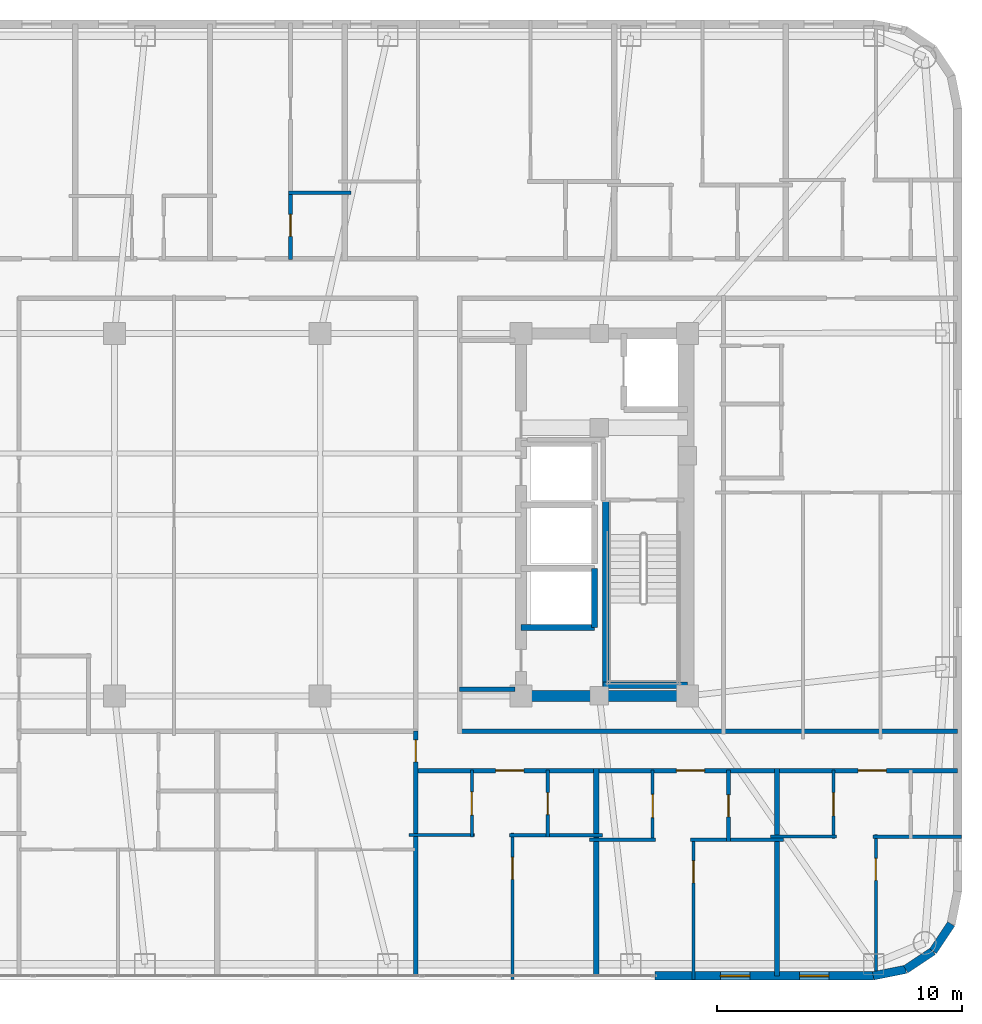
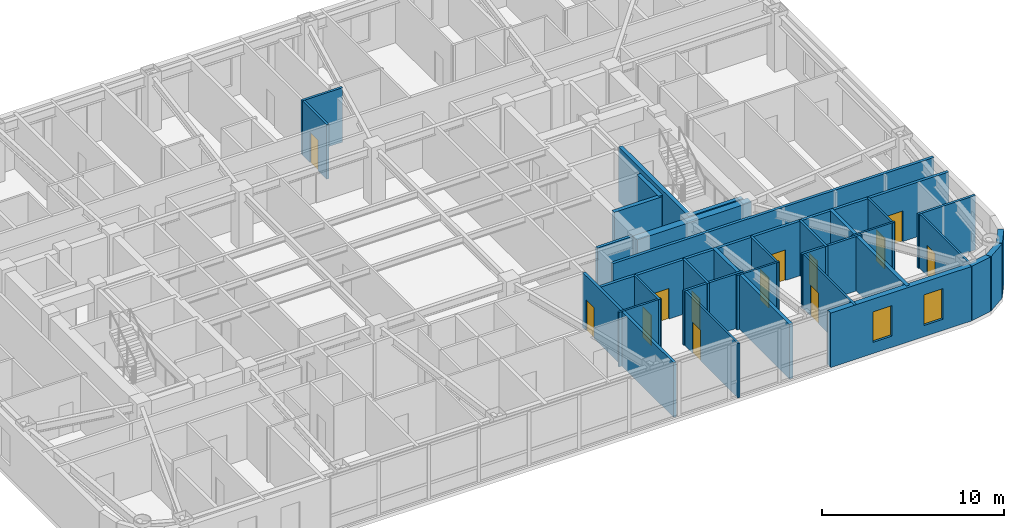
# One storey, part 11 of 17: 31 walls, 13 doors, 2 windows, 15 openings.
"""IFC4 building model written with IfcOpenShell, lengths in metres."""

from ifc_helpers import new_model, si_unit, direction, frame, frame_2d, origin, place, context, subcontext, project, spatial, rectangle, extrude, material, layer, layer_set, type_object, element, fill, save


model = new_model("IFC4")

# Units and contexts
model_context = context("Model", 3, precision=1e-05, world=origin(), true_north=direction((0.0, 1.0)))
body_context = subcontext(model_context, "Body", "Model", "MODEL_VIEW")
ifc_project = project(units=[si_unit("LENGTHUNIT", "METRE"), si_unit("AREAUNIT", "SQUARE_METRE"), si_unit("VOLUMEUNIT", "CUBIC_METRE"), si_unit("PLANEANGLEUNIT", "RADIAN"), si_unit("MASSUNIT", "GRAM", prefix="KILO")], contexts=[model_context])

# Site, building, storey
site_placement = place(None, origin())
site = spatial("IfcSite", under=ifc_project, at=site_placement, CompositionType="ELEMENT")
building_placement = place(site_placement, origin())
building = spatial("IfcBuilding", under=site, at=building_placement, Name="Voryun Gate Residences", CompositionType="ELEMENT")
storey_placement = place(building_placement, frame((0.0, 0.0, 204.10009765625)))
storey = spatial("IfcBuildingStorey", under=building, at=storey_placement, Name="L50", CompositionType="ELEMENT", Elevation=204.10009765625)

# Walls
ifc_material_1 = material(Name="Concrete C50/60", Category="concrete")
ifc_layer_1 = layer(ifc_material_1, 0.449951171875, Name="CW_CORE_450")
ifc_layer_set_1 = layer_set([ifc_layer_1], Name="Concrete C50/60")
wall_type_1 = type_object("IfcWallType", Name="CW_CORE_450", PredefinedType="SHEAR", material=ifc_layer_set_1)
wall_1_placement = place(storey_placement, frame((12.175048828125, -7.39990234375, 0.0), z_axis=(0.0, 0.0, 1.0), x_axis=(1.0, 0.0, 0.0)))
element("IfcWall", 1, at=wall_1_placement, inside=storey, type_object=wall_type_1, Name="L50 Core shear wall CW-L50-ES", PredefinedType="SHEAR", context=body_context, shape_type="SweptSolid", body=[
    extrude(rectangle(XDim=7.25, YDim=0.449951171875, at=frame_2d((3.625, 0.0))), origin(), (0.0, 0.0, 1.0), 3.64990234375),
])
ifc_material_2 = material(Name="Gypsum acoustic fireboard")
ifc_layer_2 = layer(ifc_material_2, 0.179931640625, Name="W_CORR_RATED_180")
ifc_layer_set_2 = layer_set([ifc_layer_2], Name="Gypsum acoustic fireboard")
wall_type_2 = type_object("IfcWallType", Name="W_CORR_RATED_180", PredefinedType="PARTITIONING", material=ifc_layer_set_2)
wall_2_placement = place(storey_placement, frame((9.8798828125, -7.1201171875, 0.0), z_axis=(0.0, 0.0, 1.0), x_axis=(1.0, 0.0, 0.0)))
element("IfcWall", 2, at=wall_2_placement, inside=storey, type_object=wall_type_2, Name="Partition wall WP-L50-PLBS-E", PredefinedType="PARTITIONING", context=body_context, shape_type="SweptSolid", body=[
    extrude(rectangle(XDim=2.27001953125, YDim=0.179931640625, at=frame_2d((1.135009765625, 0.0))), origin(), (0.0, 0.0, 1.0), 3.64990234375),
])
wall_3_placement = place(storey_placement, frame((9.8798828125, -8.840087890625, 0.0), z_axis=(0.0, 0.0, 1.0), x_axis=(1.0, 0.0, 0.0)))
element("IfcWall", 3, at=wall_3_placement, inside=storey, type_object=wall_type_2, Name="Partition wall WP-L50-CWING-ES", PredefinedType="PARTITIONING", context=body_context, shape_type="SweptSolid", body=[
    extrude(rectangle(XDim=20.35009765625, YDim=0.179931640625, at=frame_2d((10.175048828125, 0.0))), origin(), (0.0, 0.0, 1.0), 3.64990234375),
])

# Wall, openings, doors
wall_4_placement = place(storey_placement, frame((8.080078125, -10.449951171875, 0.0), z_axis=(0.0, 0.0, 1.0), x_axis=(1.0, 0.0, 0.0)))
wall_4 = element("IfcWall", 4, at=wall_4_placement, inside=storey, type_object=wall_type_2, Name="Partition wall WP-L50-SCORR-E", PredefinedType="PARTITIONING", context=body_context, shape_type="SweptSolid", body=[
    extrude(rectangle(XDim=22.14990234375, YDim=0.179931640625, at=frame_2d((11.074951171875, 0.0))), origin(), (0.0, 0.0, 1.0), 3.64990234375),
])
opening_1_placement = place(wall_4_placement, frame((3.283447265625, 0.0, 0.0)))
opening_1 = element("IfcOpeningElement", 5, at=opening_1_placement, cuts=wall_4, Name="Opening D-UNIT-1", PredefinedType="OPENING", context=body_context, shape_type="SweptSolid", body=[
    extrude(rectangle(XDim=1.14990234375, YDim=2.050048828125, at=frame_2d((0.574951171875, 1.02490234375))), frame((0.0, 0.099853515625, 0.0), z_axis=(0.0, -1.0, 0.0), x_axis=(1.0, 0.0, 0.0)), (0.0, 0.0, 1.0), 0.199951171875),
])
opening_2_placement = place(wall_4_placement, frame((10.668212890625, 0.0, 0.0)))
opening_2 = element("IfcOpeningElement", 6, at=opening_2_placement, cuts=wall_4, Name="Opening D-UNIT-1", PredefinedType="OPENING", context=body_context, shape_type="SweptSolid", body=[
    extrude(rectangle(XDim=1.14990234375, YDim=2.050048828125, at=frame_2d((0.574951171875, 1.02490234375))), frame((0.0, 0.099853515625, 0.0), z_axis=(0.0, -1.0, 0.0), x_axis=(1.0, 0.0, 0.0)), (0.0, 0.0, 1.0), 0.199951171875),
])
opening_3_placement = place(wall_4_placement, frame((18.084228515625, 0.0, 0.0)))
opening_3 = element("IfcOpeningElement", 7, at=opening_3_placement, cuts=wall_4, Name="Opening D-UNIT-1", PredefinedType="OPENING", context=body_context, shape_type="SweptSolid", body=[
    extrude(rectangle(XDim=1.14990234375, YDim=2.050048828125, at=frame_2d((0.574951171875, 1.02490234375))), frame((0.0, 0.099853515625, 0.0), z_axis=(0.0, -1.0, 0.0), x_axis=(1.0, 0.0, 0.0)), (0.0, 0.0, 1.0), 0.199951171875),
])
ifc_material_3 = material(Name="Armoured timber-clad fire door", Category="wood")
door_type_1 = type_object("IfcDoorType", Name="DR_UNIT_ENTRY_1150", OperationType="NOTDEFINED", PredefinedType="DOOR", material=ifc_material_3)
door_1_placement = place(opening_1_placement, origin())
door_1 = element("IfcDoor", 8, at=door_1_placement, inside=storey, type_object=door_type_1, Name="Door DR-L50-SENT-5", OperationType="SINGLE_SWING_RIGHT", OverallHeight=2.050048828125, OverallWidth=1.14990234375, PredefinedType="DOOR", context=body_context, shape_type="SweptSolid", body=[
    extrude(rectangle(XDim=1.14990234375, YDim=2.050048828125, at=frame_2d((0.574951171875, 1.02490234375))), frame((0.0, 0.02490234375, 0.0), z_axis=(0.0, -1.0, 0.0), x_axis=(1.0, 0.0, 0.0)), (0.0, 0.0, 1.0), 0.050048828125),
])
fill(opening_1, door_1)
door_2_placement = place(opening_2_placement, origin())
door_2 = element("IfcDoor", 9, at=door_2_placement, inside=storey, type_object=door_type_1, Name="Door DR-L50-SENT-6", OperationType="SINGLE_SWING_LEFT", OverallHeight=2.050048828125, OverallWidth=1.14990234375, PredefinedType="DOOR", context=body_context, shape_type="SweptSolid", body=[
    extrude(rectangle(XDim=1.14990234375, YDim=2.050048828125, at=frame_2d((0.574951171875, 1.02490234375))), frame((0.0, 0.02490234375, 0.0), z_axis=(0.0, -1.0, 0.0), x_axis=(1.0, 0.0, 0.0)), (0.0, 0.0, 1.0), 0.050048828125),
])
fill(opening_2, door_2)
door_3_placement = place(opening_3_placement, origin())
door_3 = element("IfcDoor", 10, at=door_3_placement, inside=storey, type_object=door_type_1, Name="Door DR-L50-SENT-7", OperationType="SINGLE_SWING_RIGHT", OverallHeight=2.050048828125, OverallWidth=1.14990234375, PredefinedType="DOOR", context=body_context, shape_type="SweptSolid", body=[
    extrude(rectangle(XDim=1.14990234375, YDim=2.050048828125, at=frame_2d((0.574951171875, 1.02490234375))), frame((0.0, 0.02490234375, 0.0), z_axis=(0.0, -1.0, 0.0), x_axis=(1.0, 0.0, 0.0)), (0.0, 0.0, 1.0), 0.050048828125),
])
fill(opening_3, door_3)

# Wall, opening, door
wall_5_placement = place(storey_placement, frame((8.10009765625, -18.830078125, 0.0), z_axis=(0.0, 0.0, 1.0), x_axis=(0.0, 1.0, 0.0)))
wall_5 = element("IfcWall", 11, at=wall_5_placement, inside=storey, type_object=wall_type_2, Name="Partition wall WP-L50-SZV-2", PredefinedType="PARTITIONING", context=body_context, shape_type="SweptSolid", body=[
    extrude(rectangle(XDim=9.989990234375, YDim=0.179931640625, at=frame_2d((4.9951171875, 0.0))), origin(), (0.0, 0.0, 1.0), 3.64990234375),
])
opening_4_placement = place(wall_5_placement, frame((8.73974609375, 0.0, 0.0)))
opening_4 = element("IfcOpeningElement", 12, at=opening_4_placement, cuts=wall_5, Name="Opening D-INT-2", PredefinedType="OPENING", context=body_context, shape_type="SweptSolid", body=[
    extrude(rectangle(XDim=0.89990234375, YDim=2.050048828125, at=frame_2d((0.449951171875, 1.02490234375))), frame((0.0, 0.099853515625, 0.0), z_axis=(0.0, -1.0, 0.0), x_axis=(1.0, 0.0, 0.0)), (0.0, 0.0, 1.0), 0.199951171875),
])
ifc_material_4 = material(Name="Architectural oak veneer")
door_type_2 = type_object("IfcDoorType", Name="DR_INT_BATH_900", OperationType="NOTDEFINED", PredefinedType="DOOR", material=ifc_material_4)
door_4_placement = place(opening_4_placement, origin())
door_4 = element("IfcDoor", 13, at=door_4_placement, inside=storey, type_object=door_type_2, Name="Door DR-L50-SZENT-2", OperationType="SINGLE_SWING_RIGHT", OverallHeight=2.050048828125, OverallWidth=0.89990234375, PredefinedType="DOOR", context=body_context, shape_type="SweptSolid", body=[
    extrude(rectangle(XDim=0.89990234375, YDim=2.050048828125, at=frame_2d((0.449951171875, 1.02490234375))), frame((0.0, 0.02490234375, 0.0), z_axis=(0.0, -1.0, 0.0), x_axis=(1.0, 0.0, 0.0)), (0.0, 0.0, 1.0), 0.050048828125),
])
fill(opening_4, door_4)

# Wall, openings, windows
ifc_material_5 = material(Name="Charcoal terracotta masonry", Category="masonry")
ifc_layer_3 = layer(ifc_material_5, 0.340087890625, Name="W_EXT_TERRACOTTA_340")
ifc_layer_set_3 = layer_set([ifc_layer_3], Name="Charcoal terracotta masonry")
wall_type_3 = type_object("IfcWallType", Name="W_EXT_TERRACOTTA_340", PredefinedType="ELEMENTEDWALL", material=ifc_layer_set_3)
wall_6_placement = place(storey_placement, frame((26.783203125, -18.830078125, 0.0), z_axis=(0.0, 0.0, 1.0), x_axis=(-1.0, 0.0, 0.0)))
wall_6 = element("IfcWall", 14, at=wall_6_placement, inside=storey, type_object=wall_type_3, Name="Exterior wall WEXT-L50-01A", PredefinedType="ELEMENTEDWALL", context=body_context, shape_type="SweptSolid", body=[
    extrude(rectangle(XDim=8.921875, YDim=0.340087890625, at=frame_2d((4.4609375, 0.0))), origin(), (0.0, 0.0, 1.0), 3.64990234375),
])
opening_5_placement = place(wall_6_placement, frame((5.037353515625, 0.0, 0.75)))
opening_5 = element("IfcOpeningElement", 15, at=opening_5_placement, cuts=wall_6, Name="Opening WN6", PredefinedType="OPENING", context=body_context, shape_type="SweptSolid", body=[
    extrude(rectangle(XDim=1.199951171875, YDim=2.050048828125, at=frame_2d((0.60009765625, 1.02490234375))), frame((0.0, 0.179931640625, 0.0), z_axis=(0.0, -1.0, 0.0), x_axis=(1.0, 0.0, 0.0)), (0.0, 0.0, 1.0), 0.360107421875),
])
opening_6_placement = place(wall_6_placement, frame((1.81103515625, 0.0, 0.75)))
opening_6 = element("IfcOpeningElement", 16, at=opening_6_placement, cuts=wall_6, Name="Opening WN6", PredefinedType="OPENING", context=body_context, shape_type="SweptSolid", body=[
    extrude(rectangle(XDim=1.199951171875, YDim=2.050048828125, at=frame_2d((0.60009765625, 1.02490234375))), frame((0.0, 0.179931640625, 0.0), z_axis=(0.0, -1.0, 0.0), x_axis=(1.0, 0.0, 0.0)), (0.0, 0.0, 1.0), 0.360107421875),
])
ifc_material_6 = material(Name="Laminated low-E glass", Category="glass")
window_type = type_object("IfcWindowType", Name="WN_POD_SLOT_1200", PartitioningType="SINGLE_PANEL", PredefinedType="WINDOW", material=ifc_material_6)
window_1_placement = place(opening_5_placement, origin())
window_1 = element("IfcWindow", 17, at=window_1_placement, inside=storey, type_object=window_type, Name="Window WN-L50-DWFIX-17", OverallHeight=2.050048828125, OverallWidth=1.199951171875, PartitioningType="SINGLE_PANEL", PredefinedType="WINDOW", context=body_context, shape_type="SweptSolid", body=[
    extrude(rectangle(XDim=1.199951171875, YDim=2.050048828125, at=frame_2d((0.60009765625, 1.02490234375))), frame((0.0, 0.030029296875, 0.0), z_axis=(0.0, -1.0, 0.0), x_axis=(1.0, 0.0, 0.0)), (0.0, 0.0, 1.0), 0.06005859375),
])
fill(opening_5, window_1)
window_2_placement = place(opening_6_placement, origin())
window_2 = element("IfcWindow", 18, at=window_2_placement, inside=storey, type_object=window_type, Name="Window WN-L50-DWFIX-18", OverallHeight=2.050048828125, OverallWidth=1.199951171875, PartitioningType="SINGLE_PANEL", PredefinedType="WINDOW", context=body_context, shape_type="SweptSolid", body=[
    extrude(rectangle(XDim=1.199951171875, YDim=2.050048828125, at=frame_2d((0.60009765625, 1.02490234375))), frame((0.0, 0.030029296875, 0.0), z_axis=(0.0, -1.0, 0.0), x_axis=(1.0, 0.0, 0.0)), (0.0, 0.0, 1.0), 0.06005859375),
])
fill(opening_6, window_2)

# Walls
wall_7_placement = place(storey_placement, frame((29.9658203125, -16.711181640625, 0.0), z_axis=(0.0, 0.0, 1.0), x_axis=(-0.555584683399, -0.831459956686, 0.0)))
element("IfcWall", 19, at=wall_7_placement, inside=storey, type_object=wall_type_3, Name="Exterior wall WEXT-L50-18", PredefinedType="ELEMENTEDWALL", context=body_context, shape_type="SweptSolid", body=[
    extrude(rectangle(XDim=1.337158203125, YDim=0.340087890625, at=frame_2d((0.66845703125, 0.0))), origin(), (0.0, 0.0, 1.0), 3.64990234375),
])
wall_8_placement = place(storey_placement, frame((29.222900390625, -17.822998046875, 0.0), z_axis=(0.0, 0.0, 1.0), x_axis=(-0.831403586725, -0.555669034571, 0.0)))
element("IfcWall", 20, at=wall_8_placement, inside=storey, type_object=wall_type_3, Name="Exterior wall WEXT-L50-19", PredefinedType="ELEMENTEDWALL", context=body_context, shape_type="SweptSolid", body=[
    extrude(rectangle(XDim=1.3369140625, YDim=0.340087890625, at=frame_2d((0.66845703125, 0.0))), origin(), (0.0, 0.0, 1.0), 3.64990234375),
])
wall_9_placement = place(storey_placement, frame((28.111328125, -18.56591796875, 0.0), z_axis=(0.0, 0.0, 1.0), x_axis=(-0.980788153188, -0.195075878998, 0.0)))
element("IfcWall", 21, at=wall_9_placement, inside=storey, type_object=wall_type_3, Name="Exterior wall WEXT-L50-20", PredefinedType="ELEMENTEDWALL", context=body_context, shape_type="SweptSolid", body=[
    extrude(rectangle(XDim=1.354248046875, YDim=0.340087890625, at=frame_2d((0.67724609375, 0.0))), origin(), (0.0, 0.0, 1.0), 3.64990234375),
])
ifc_material_7 = material(Name="Concrete C40/50", Category="concrete")
ifc_layer_4 = layer(ifc_material_7, 0.219970703125, Name="W_PARTY_ACOUSTIC_220")
ifc_layer_set_4 = layer_set([ifc_layer_4], Name="Concrete C40/50")
wall_type_4 = type_object("IfcWallType", Name="W_PARTY_ACOUSTIC_220", PredefinedType="PARTITIONING", material=ifc_layer_set_4)
for number, where, z_axis, x_axis, name in (
    (22, (15.466064453125, -18.830078125, 0.0), (0.0, 0.0, 1.0), (0.0, 1.0, 0.0), "Partition wall WP-L50-SPTY-5"),
    (23, (22.85107421875, -18.830078125, 0.0), (0.0, 0.0, 1.0), (0.0, 1.0, 0.0), "Partition wall WP-L50-SPTY-6"),
):
    element("IfcWall", number, at=place(storey_placement, frame(where, z_axis=z_axis, x_axis=x_axis)), inside=storey, type_object=wall_type_4, Name=name, PredefinedType="PARTITIONING", context=body_context, shape_type="SweptSolid", body=[
        extrude(rectangle(XDim=8.4599609375, YDim=0.219970703125, at=frame_2d((4.22998046875, 0.0))), origin(), (0.0, 0.0, 1.0), 3.64990234375),
    ])
ifc_material_8 = material(Name="Concrete C50/60", Category="concrete")
ifc_layer_5 = layer(ifc_material_8, 0.25, Name="W_SHAFT_RC250")
ifc_layer_set_5 = layer_set([ifc_layer_5], Name="Concrete C50/60")
wall_type_5 = type_object("IfcWallType", Name="W_SHAFT_RC250", PredefinedType="SOLIDWALL", material=ifc_layer_set_5)
wall_10_placement = place(storey_placement, frame((15.860107421875, -7.0849609375, 0.0), z_axis=(0.0, 0.0, 1.0), x_axis=(0.0, 1.0, 0.0)))
element("IfcWall", 24, at=wall_10_placement, inside=storey, type_object=wall_type_5, Name="L50 Stair shaft structural wall E-STL", PredefinedType="SOLIDWALL", context=body_context, shape_type="SweptSolid", body=[
    extrude(rectangle(XDim=7.68505859375, YDim=0.25, at=frame_2d((3.842529296875, 0.0))), origin(), (0.0, 0.0, 1.0), 3.64990234375),
])
wall_11_placement = place(storey_placement, frame((15.739990234375, -6.965087890625, 0.0), z_axis=(0.0, 0.0, 1.0), x_axis=(1.0, 0.0, 0.0)))
element("IfcWall", 25, at=wall_11_placement, inside=storey, type_object=wall_type_5, Name="L50 Stair shaft structural wall E-STS", PredefinedType="SOLIDWALL", context=body_context, shape_type="SweptSolid", body=[
    extrude(rectangle(XDim=3.4599609375, YDim=0.25, at=frame_2d((1.72998046875, 0.0))), origin(), (0.0, 0.0, 1.0), 3.64990234375),
])
wall_12_placement = place(storey_placement, frame((12.39990234375, -4.60009765625, 0.0), z_axis=(0.0, 0.0, 1.0), x_axis=(1.0, 0.0, 0.0)))
element("IfcWall", 26, at=wall_12_placement, inside=storey, type_object=wall_type_5, Name="Lift shaft wall WSH-L50-EL-P5-S", PredefinedType="SOLIDWALL", context=body_context, shape_type="SweptSolid", body=[
    extrude(rectangle(XDim=3.0, YDim=0.25, at=frame_2d((1.5, 0.0))), origin(), (0.0, 0.0, 1.0), 3.64990234375),
])
wall_13_placement = place(storey_placement, frame((15.39990234375, -4.60009765625, 0.0), z_axis=(0.0, 0.0, 1.0), x_axis=(0.0, 1.0, 0.0)))
element("IfcWall", 27, at=wall_13_placement, inside=storey, type_object=wall_type_5, Name="Lift shaft wall WSH-L50-EL-P5-E", PredefinedType="SOLIDWALL", context=body_context, shape_type="SweptSolid", body=[
    extrude(rectangle(XDim=2.400146484375, YDim=0.25, at=frame_2d((1.2001953125, 0.0))), origin(), (0.0, 0.0, 1.0), 3.64990234375),
])

# Wall, opening, door
ifc_material_9 = material(Name="Gypsum acoustic partition")
ifc_layer_6 = layer(ifc_material_9, 0.125, Name="W_UNIT_PART_125")
ifc_layer_set_6 = layer_set([ifc_layer_6], Name="Gypsum acoustic partition")
wall_type_6 = type_object("IfcWallType", Name="W_UNIT_PART_125", PredefinedType="PARTITIONING", material=ifc_layer_set_6)
wall_14_placement = place(storey_placement, frame((12.055908203125, -18.97998046875, 0.0), z_axis=(0.0, 0.0, 1.0), x_axis=(0.0, 1.0, 0.0)))
wall_14 = element("IfcWall", 28, at=wall_14_placement, inside=storey, type_object=wall_type_6, Name="Partition wall WP-L50-S5-OVR", PredefinedType="PARTITIONING", context=body_context, shape_type="SweptSolid", body=[
    extrude(rectangle(XDim=5.97509765625, YDim=0.125, at=frame_2d((2.987548828125, 0.0))), origin(), (0.0, 0.0, 1.0), 3.64990234375),
])
opening_7_placement = place(wall_14_placement, frame((4.091064453125, 0.0, 0.0)))
opening_7 = element("IfcOpeningElement", 29, at=opening_7_placement, cuts=wall_14, Name="Opening D-INT-2", PredefinedType="OPENING", context=body_context, shape_type="SweptSolid", body=[
    extrude(rectangle(XDim=0.89990234375, YDim=2.050048828125, at=frame_2d((0.449951171875, 1.02490234375))), frame((0.0, 0.072509765625, 0.0), z_axis=(0.0, -1.0, 0.0), x_axis=(1.0, 0.0, 0.0)), (0.0, 0.0, 1.0), 0.14501953125),
])
door_5_placement = place(opening_7_placement, origin())
door_5 = element("IfcDoor", 30, at=door_5_placement, inside=storey, type_object=door_type_2, Name="Door DR-L50-S5-DMB", OperationType="SINGLE_SWING_RIGHT", OverallHeight=2.050048828125, OverallWidth=0.89990234375, PredefinedType="DOOR", context=body_context, shape_type="SweptSolid", body=[
    extrude(rectangle(XDim=0.89990234375, YDim=2.050048828125, at=frame_2d((0.449951171875, 1.02490234375))), frame((0.0, 0.02490234375, 0.0), z_axis=(0.0, -1.0, 0.0), x_axis=(1.0, 0.0, 0.0)), (0.0, 0.0, 1.0), 0.050048828125),
])
fill(opening_7, door_5)

wall_15_placement = place(storey_placement, frame((10.389892578125, -13.1650390625, 0.0), z_axis=(0.0, 0.0, 1.0), x_axis=(0.0, 1.0, 0.0)))
wall_15 = element("IfcWall", 31, at=wall_15_placement, inside=storey, type_object=wall_type_6, Name="Partition wall WP-L50-S5-IVK", PredefinedType="PARTITIONING", context=body_context, shape_type="SweptSolid", body=[
    extrude(rectangle(XDim=2.735107421875, YDim=0.125, at=frame_2d((1.36767578125, 0.0))), origin(), (0.0, 0.0, 1.0), 3.64990234375),
])
opening_8_placement = place(wall_15_placement, frame((0.892578125, 0.0, 0.0)))
opening_8 = element("IfcOpeningElement", 32, at=opening_8_placement, cuts=wall_15, Name="Opening D-INT-1", PredefinedType="OPENING", context=body_context, shape_type="SweptSolid", body=[
    extrude(rectangle(XDim=0.949951171875, YDim=2.050048828125, at=frame_2d((0.47509765625, 1.02490234375))), frame((0.0, 0.072509765625, 0.0), z_axis=(0.0, -1.0, 0.0), x_axis=(1.0, 0.0, 0.0)), (0.0, 0.0, 1.0), 0.14501953125),
])
ifc_material_10 = material(Name="Architectural oak veneer")
door_type_3 = type_object("IfcDoorType", Name="DR_INT_ROOM_950", OperationType="NOTDEFINED", PredefinedType="DOOR", material=ifc_material_10)
door_6_placement = place(opening_8_placement, origin())
door_6 = element("IfcDoor", 33, at=door_6_placement, inside=storey, type_object=door_type_3, Name="Door DR-L50-S5-DK", OperationType="SINGLE_SWING_LEFT", OverallHeight=2.050048828125, OverallWidth=0.949951171875, PredefinedType="DOOR", context=body_context, shape_type="SweptSolid", body=[
    extrude(rectangle(XDim=0.949951171875, YDim=2.050048828125, at=frame_2d((0.47509765625, 1.02490234375))), frame((0.0, 0.02490234375, 0.0), z_axis=(0.0, -1.0, 0.0), x_axis=(1.0, 0.0, 0.0)), (0.0, 0.0, 1.0), 0.050048828125),
])
fill(opening_8, door_6)

# Wall
wall_16_placement = place(storey_placement, frame((7.820068359375, -13.0849609375, 0.0), z_axis=(0.0, 0.0, 1.0), x_axis=(1.0, 0.0, 0.0)))
element("IfcWall", 34, at=wall_16_placement, inside=storey, type_object=wall_type_6, Name="Partition wall WP-L50-S5-HZK", PredefinedType="PARTITIONING", context=body_context, shape_type="SweptSolid", body=[
    extrude(rectangle(XDim=2.68994140625, YDim=0.125, at=frame_2d((1.344970703125, 0.0))), origin(), (0.0, 0.0, 1.0), 3.64990234375),
])

# Wall, opening, door
wall_17_placement = place(storey_placement, frame((19.44091796875, -18.97998046875, 0.0), z_axis=(0.0, 0.0, 1.0), x_axis=(0.0, 1.0, 0.0)))
wall_17 = element("IfcWall", 35, at=wall_17_placement, inside=storey, type_object=wall_type_6, Name="Partition wall WP-L50-S6-OVR", PredefinedType="PARTITIONING", context=body_context, shape_type="SweptSolid", body=[
    extrude(rectangle(XDim=5.786865234375, YDim=0.125, at=frame_2d((2.8935546875, 0.0))), origin(), (0.0, 0.0, 1.0), 3.64990234375),
])
opening_9_placement = place(wall_17_placement, frame((3.947998046875, 0.0, 0.0)))
opening_9 = element("IfcOpeningElement", 36, at=opening_9_placement, cuts=wall_17, Name="Opening D-INT-2", PredefinedType="OPENING", context=body_context, shape_type="SweptSolid", body=[
    extrude(rectangle(XDim=0.89990234375, YDim=2.050048828125, at=frame_2d((0.449951171875, 1.02490234375))), frame((0.0, 0.072509765625, 0.0), z_axis=(0.0, -1.0, 0.0), x_axis=(1.0, 0.0, 0.0)), (0.0, 0.0, 1.0), 0.14501953125),
])
door_7_placement = place(opening_9_placement, origin())
door_7 = element("IfcDoor", 37, at=door_7_placement, inside=storey, type_object=door_type_2, Name="Door DR-L50-S6-DMB", OperationType="SINGLE_SWING_RIGHT", OverallHeight=2.050048828125, OverallWidth=0.89990234375, PredefinedType="DOOR", context=body_context, shape_type="SweptSolid", body=[
    extrude(rectangle(XDim=0.89990234375, YDim=2.050048828125, at=frame_2d((0.449951171875, 1.02490234375))), frame((0.0, 0.02490234375, 0.0), z_axis=(0.0, -1.0, 0.0), x_axis=(1.0, 0.0, 0.0)), (0.0, 0.0, 1.0), 0.050048828125),
])
fill(opening_9, door_7)

wall_18_placement = place(storey_placement, frame((17.77587890625, -13.35302734375, 0.0), z_axis=(0.0, 0.0, 1.0), x_axis=(0.0, 1.0, 0.0)))
wall_18 = element("IfcWall", 38, at=wall_18_placement, inside=storey, type_object=wall_type_6, Name="Partition wall WP-L50-S6-IVK", PredefinedType="PARTITIONING", context=body_context, shape_type="SweptSolid", body=[
    extrude(rectangle(XDim=2.923095703125, YDim=0.125, at=frame_2d((1.46142578125, 0.0))), origin(), (0.0, 0.0, 1.0), 3.64990234375),
])
opening_10_placement = place(wall_18_placement, frame((0.986572265625, 0.0, 0.0)))
opening_10 = element("IfcOpeningElement", 39, at=opening_10_placement, cuts=wall_18, Name="Opening D-INT-1", PredefinedType="OPENING", context=body_context, shape_type="SweptSolid", body=[
    extrude(rectangle(XDim=0.949951171875, YDim=2.050048828125, at=frame_2d((0.47509765625, 1.02490234375))), frame((0.0, 0.072509765625, 0.0), z_axis=(0.0, -1.0, 0.0), x_axis=(1.0, 0.0, 0.0)), (0.0, 0.0, 1.0), 0.14501953125),
])
door_8_placement = place(opening_10_placement, origin())
door_8 = element("IfcDoor", 40, at=door_8_placement, inside=storey, type_object=door_type_3, Name="Door DR-L50-S6-DK", OperationType="SINGLE_SWING_LEFT", OverallHeight=2.050048828125, OverallWidth=0.949951171875, PredefinedType="DOOR", context=body_context, shape_type="SweptSolid", body=[
    extrude(rectangle(XDim=0.949951171875, YDim=2.050048828125, at=frame_2d((0.47509765625, 1.02490234375))), frame((0.0, 0.02490234375, 0.0), z_axis=(0.0, -1.0, 0.0), x_axis=(1.0, 0.0, 0.0)), (0.0, 0.0, 1.0), 0.050048828125),
])
fill(opening_10, door_8)

# Wall
wall_19_placement = place(storey_placement, frame((15.2060546875, -13.27294921875, 0.0), z_axis=(0.0, 0.0, 1.0), x_axis=(1.0, 0.0, 0.0)))
element("IfcWall", 41, at=wall_19_placement, inside=storey, type_object=wall_type_6, Name="Partition wall WP-L50-S6-HZK", PredefinedType="PARTITIONING", context=body_context, shape_type="SweptSolid", body=[
    extrude(rectangle(XDim=2.68994140625, YDim=0.125, at=frame_2d((1.344970703125, 0.0))), origin(), (0.0, 0.0, 1.0), 3.64990234375),
])

# Wall, opening, door
wall_20_placement = place(storey_placement, frame((26.886962890625, -18.96240234375, 0.0), z_axis=(0.0, 0.0, 1.0), x_axis=(0.0, 1.0, 0.0)))
wall_20 = element("IfcWall", 42, at=wall_20_placement, inside=storey, type_object=wall_type_6, Name="Partition wall WP-L50-S7-OVR", PredefinedType="PARTITIONING", context=body_context, shape_type="SweptSolid", body=[
    extrude(rectangle(XDim=5.8955078125, YDim=0.125, at=frame_2d((2.94775390625, 0.0))), origin(), (0.0, 0.0, 1.0), 3.64990234375),
])
opening_11_placement = place(wall_20_placement, frame((4.030517578125, 0.0, 0.0)))
opening_11 = element("IfcOpeningElement", 43, at=opening_11_placement, cuts=wall_20, Name="Opening D-INT-2", PredefinedType="OPENING", context=body_context, shape_type="SweptSolid", body=[
    extrude(rectangle(XDim=0.89990234375, YDim=2.050048828125, at=frame_2d((0.449951171875, 1.02490234375))), frame((0.0, 0.072509765625, 0.0), z_axis=(0.0, -1.0, 0.0), x_axis=(1.0, 0.0, 0.0)), (0.0, 0.0, 1.0), 0.14501953125),
])
door_9_placement = place(opening_11_placement, origin())
door_9 = element("IfcDoor", 44, at=door_9_placement, inside=storey, type_object=door_type_2, Name="Door DR-L50-S7-DMB", OperationType="SINGLE_SWING_RIGHT", OverallHeight=2.050048828125, OverallWidth=0.89990234375, PredefinedType="DOOR", context=body_context, shape_type="SweptSolid", body=[
    extrude(rectangle(XDim=0.89990234375, YDim=2.050048828125, at=frame_2d((0.449951171875, 1.02490234375))), frame((0.0, 0.02490234375, 0.0), z_axis=(0.0, -1.0, 0.0), x_axis=(1.0, 0.0, 0.0)), (0.0, 0.0, 1.0), 0.050048828125),
])
fill(opening_11, door_9)

wall_21_placement = place(storey_placement, frame((25.160888671875, -13.22705078125, 0.0), z_axis=(0.0, 0.0, 1.0), x_axis=(0.0, 1.0, 0.0)))
wall_21 = element("IfcWall", 45, at=wall_21_placement, inside=storey, type_object=wall_type_6, Name="Partition wall WP-L50-S7-IVK", PredefinedType="PARTITIONING", context=body_context, shape_type="SweptSolid", body=[
    extrude(rectangle(XDim=2.797119140625, YDim=0.125, at=frame_2d((1.3984375, 0.0))), origin(), (0.0, 0.0, 1.0), 3.64990234375),
])
opening_12_placement = place(wall_21_placement, frame((0.923583984375, 0.0, 0.0)))
opening_12 = element("IfcOpeningElement", 46, at=opening_12_placement, cuts=wall_21, Name="Opening D-INT-1", PredefinedType="OPENING", context=body_context, shape_type="SweptSolid", body=[
    extrude(rectangle(XDim=0.949951171875, YDim=2.050048828125, at=frame_2d((0.47509765625, 1.02490234375))), frame((0.0, 0.072509765625, 0.0), z_axis=(0.0, -1.0, 0.0), x_axis=(1.0, 0.0, 0.0)), (0.0, 0.0, 1.0), 0.14501953125),
])
door_10_placement = place(opening_12_placement, origin())
door_10 = element("IfcDoor", 47, at=door_10_placement, inside=storey, type_object=door_type_3, Name="Door DR-L50-S7-DK", OperationType="SINGLE_SWING_LEFT", OverallHeight=2.050048828125, OverallWidth=0.949951171875, PredefinedType="DOOR", context=body_context, shape_type="SweptSolid", body=[
    extrude(rectangle(XDim=0.949951171875, YDim=2.050048828125, at=frame_2d((0.47509765625, 1.02490234375))), frame((0.0, 0.02490234375, 0.0), z_axis=(0.0, -1.0, 0.0), x_axis=(1.0, 0.0, 0.0)), (0.0, 0.0, 1.0), 0.050048828125),
])
fill(opening_12, door_10)

# Walls
wall_22_placement = place(storey_placement, frame((22.591064453125, -13.14697265625, 0.0), z_axis=(0.0, 0.0, 1.0), x_axis=(1.0, 0.0, 0.0)))
element("IfcWall", 48, at=wall_22_placement, inside=storey, type_object=wall_type_6, Name="Partition wall WP-L50-S7-HZK", PredefinedType="PARTITIONING", context=body_context, shape_type="SweptSolid", body=[
    extrude(rectangle(XDim=2.68994140625, YDim=0.125, at=frame_2d((1.344970703125, 0.0))), origin(), (0.0, 0.0, 1.0), 3.64990234375),
])
ifc_material_11 = material(Name="Gypsum moisture-resistant partition")
ifc_layer_7 = layer(ifc_material_11, 0.14990234375, Name="W_WET_PLUMB_150")
ifc_layer_set_7 = layer_set([ifc_layer_7], Name="Gypsum moisture-resistant partition")
wall_type_7 = type_object("IfcWallType", Name="W_WET_PLUMB_150", PredefinedType="PLUMBINGWALL", material=ifc_layer_set_7)
wall_23_placement = place(storey_placement, frame((2.909912109375, 13.14990234375, 0.0), z_axis=(0.0, 0.0, 1.0), x_axis=(1.0, 0.0, 0.0)))
element("IfcWall", 49, at=wall_23_placement, inside=storey, type_object=wall_type_7, Name="Partition wall WP-L50-N5-SKB", PredefinedType="PLUMBINGWALL", context=body_context, shape_type="SweptSolid", body=[
    extrude(rectangle(XDim=2.550048828125, YDim=0.14990234375, at=frame_2d((1.27490234375, 0.0))), origin(), (0.0, 0.0, 1.0), 3.64990234375),
])

# Wall, opening, door
wall_24_placement = place(storey_placement, frame((2.989990234375, 10.429931640625, 0.0), z_axis=(0.0, 0.0, 1.0), x_axis=(0.0, 1.0, 0.0)))
wall_24 = element("IfcWall", 50, at=wall_24_placement, inside=storey, type_object=wall_type_7, Name="Partition wall WP-L50-N5-SVT1", PredefinedType="PLUMBINGWALL", context=body_context, shape_type="SweptSolid", body=[
    extrude(rectangle(XDim=2.760009765625, YDim=0.14990234375, at=frame_2d((1.3798828125, 0.0))), origin(), (0.0, 0.0, 1.0), 3.64990234375),
])
opening_13_placement = place(wall_24_placement, frame((0.929931640625, 0.0, 0.0)))
opening_13 = element("IfcOpeningElement", 51, at=opening_13_placement, cuts=wall_24, Name="Opening D-INT-2", PredefinedType="OPENING", context=body_context, shape_type="SweptSolid", body=[
    extrude(rectangle(XDim=0.89990234375, YDim=2.050048828125, at=frame_2d((0.449951171875, 1.02490234375))), frame((0.0, 0.0849609375, 0.0), z_axis=(0.0, -1.0, 0.0), x_axis=(1.0, 0.0, 0.0)), (0.0, 0.0, 1.0), 0.169921875),
])
door_11_placement = place(opening_13_placement, origin())
door_11 = element("IfcDoor", 52, at=door_11_placement, inside=storey, type_object=door_type_2, Name="Door DR-L50-N5-DB", OperationType="SINGLE_SWING_LEFT", OverallHeight=2.050048828125, OverallWidth=0.89990234375, PredefinedType="DOOR", context=body_context, shape_type="SweptSolid", body=[
    extrude(rectangle(XDim=0.89990234375, YDim=2.050048828125, at=frame_2d((0.449951171875, 1.02490234375))), frame((0.0, 0.02490234375, 0.0), z_axis=(0.0, -1.0, 0.0), x_axis=(1.0, 0.0, 0.0)), (0.0, 0.0, 1.0), 0.050048828125),
])
fill(opening_13, door_11)

# Wall
wall_25_placement = place(storey_placement, frame((11.93603515625, -13.0849609375, 0.0), z_axis=(0.0, 0.0, 1.0), x_axis=(1.0, 0.0, 0.0)))
element("IfcWall", 53, at=wall_25_placement, inside=storey, type_object=wall_type_7, Name="Partition wall WP-L50-S5-HZB", PredefinedType="PLUMBINGWALL", context=body_context, shape_type="SweptSolid", body=[
    extrude(rectangle(XDim=3.7900390625, YDim=0.14990234375, at=frame_2d((1.89501953125, 0.0))), origin(), (0.0, 0.0, 1.0), 3.64990234375),
])

# Wall, opening, door
wall_26_placement = place(storey_placement, frame((13.486083984375, -13.1650390625, 0.0), z_axis=(0.0, 0.0, 1.0), x_axis=(0.0, 1.0, 0.0)))
wall_26 = element("IfcWall", 54, at=wall_26_placement, inside=storey, type_object=wall_type_7, Name="Partition wall WP-L50-S5-IVB", PredefinedType="PLUMBINGWALL", context=body_context, shape_type="SweptSolid", body=[
    extrude(rectangle(XDim=2.735107421875, YDim=0.14990234375, at=frame_2d((1.36767578125, 0.0))), origin(), (0.0, 0.0, 1.0), 3.64990234375),
])
opening_14_placement = place(wall_26_placement, frame((0.91748046875, 0.0, 0.0)))
opening_14 = element("IfcOpeningElement", 55, at=opening_14_placement, cuts=wall_26, Name="Opening D-INT-2", PredefinedType="OPENING", context=body_context, shape_type="SweptSolid", body=[
    extrude(rectangle(XDim=0.89990234375, YDim=2.050048828125, at=frame_2d((0.449951171875, 1.02490234375))), frame((0.0, 0.0849609375, 0.0), z_axis=(0.0, -1.0, 0.0), x_axis=(1.0, 0.0, 0.0)), (0.0, 0.0, 1.0), 0.169921875),
])
door_12_placement = place(opening_14_placement, origin())
door_12 = element("IfcDoor", 56, at=door_12_placement, inside=storey, type_object=door_type_2, Name="Door DR-L50-S5-DB", OperationType="SINGLE_SWING_RIGHT", OverallHeight=2.050048828125, OverallWidth=0.89990234375, PredefinedType="DOOR", context=body_context, shape_type="SweptSolid", body=[
    extrude(rectangle(XDim=0.89990234375, YDim=2.050048828125, at=frame_2d((0.449951171875, 1.02490234375))), frame((0.0, 0.02490234375, 0.0), z_axis=(0.0, -1.0, 0.0), x_axis=(1.0, 0.0, 0.0)), (0.0, 0.0, 1.0), 0.050048828125),
])
fill(opening_14, door_12)

# Wall
wall_27_placement = place(storey_placement, frame((19.321044921875, -13.27294921875, 0.0), z_axis=(0.0, 0.0, 1.0), x_axis=(1.0, 0.0, 0.0)))
element("IfcWall", 57, at=wall_27_placement, inside=storey, type_object=wall_type_7, Name="Partition wall WP-L50-S6-HZB", PredefinedType="PLUMBINGWALL", context=body_context, shape_type="SweptSolid", body=[
    extrude(rectangle(XDim=3.7900390625, YDim=0.14990234375, at=frame_2d((1.89501953125, 0.0))), origin(), (0.0, 0.0, 1.0), 3.64990234375),
])

# Wall, opening, door
wall_28_placement = place(storey_placement, frame((20.87109375, -13.35302734375, 0.0), z_axis=(0.0, 0.0, 1.0), x_axis=(0.0, 1.0, 0.0)))
wall_28 = element("IfcWall", 58, at=wall_28_placement, inside=storey, type_object=wall_type_7, Name="Partition wall WP-L50-S6-IVB", PredefinedType="PLUMBINGWALL", context=body_context, shape_type="SweptSolid", body=[
    extrude(rectangle(XDim=2.923095703125, YDim=0.14990234375, at=frame_2d((1.46142578125, 0.0))), origin(), (0.0, 0.0, 1.0), 3.64990234375),
])
opening_15_placement = place(wall_28_placement, frame((1.011474609375, 0.0, 0.0)))
opening_15 = element("IfcOpeningElement", 59, at=opening_15_placement, cuts=wall_28, Name="Opening D-INT-2", PredefinedType="OPENING", context=body_context, shape_type="SweptSolid", body=[
    extrude(rectangle(XDim=0.89990234375, YDim=2.050048828125, at=frame_2d((0.449951171875, 1.02490234375))), frame((0.0, 0.0849609375, 0.0), z_axis=(0.0, -1.0, 0.0), x_axis=(1.0, 0.0, 0.0)), (0.0, 0.0, 1.0), 0.169921875),
])
door_13_placement = place(opening_15_placement, origin())
door_13 = element("IfcDoor", 60, at=door_13_placement, inside=storey, type_object=door_type_2, Name="Door DR-L50-S6-DB", OperationType="SINGLE_SWING_RIGHT", OverallHeight=2.050048828125, OverallWidth=0.89990234375, PredefinedType="DOOR", context=body_context, shape_type="SweptSolid", body=[
    extrude(rectangle(XDim=0.89990234375, YDim=2.050048828125, at=frame_2d((0.449951171875, 1.02490234375))), frame((0.0, 0.02490234375, 0.0), z_axis=(0.0, -1.0, 0.0), x_axis=(1.0, 0.0, 0.0)), (0.0, 0.0, 1.0), 0.050048828125),
])
fill(opening_15, door_13)

# Wall
wall_29_placement = place(storey_placement, frame((26.76708984375, -13.14697265625, 0.0), z_axis=(0.0, 0.0, 1.0), x_axis=(1.0, 0.0, 0.0)))
element("IfcWall", 61, at=wall_29_placement, inside=storey, type_object=wall_type_7, Name="Partition wall WP-L50-S7-HZB", PredefinedType="PLUMBINGWALL", context=body_context, shape_type="SweptSolid", body=[
    extrude(rectangle(XDim=3.61279296875, YDim=0.14990234375, at=frame_2d((1.806396484375, 0.0))), origin(), (0.0, 0.0, 1.0), 3.64990234375),
])

save(model, "model.ifc")
